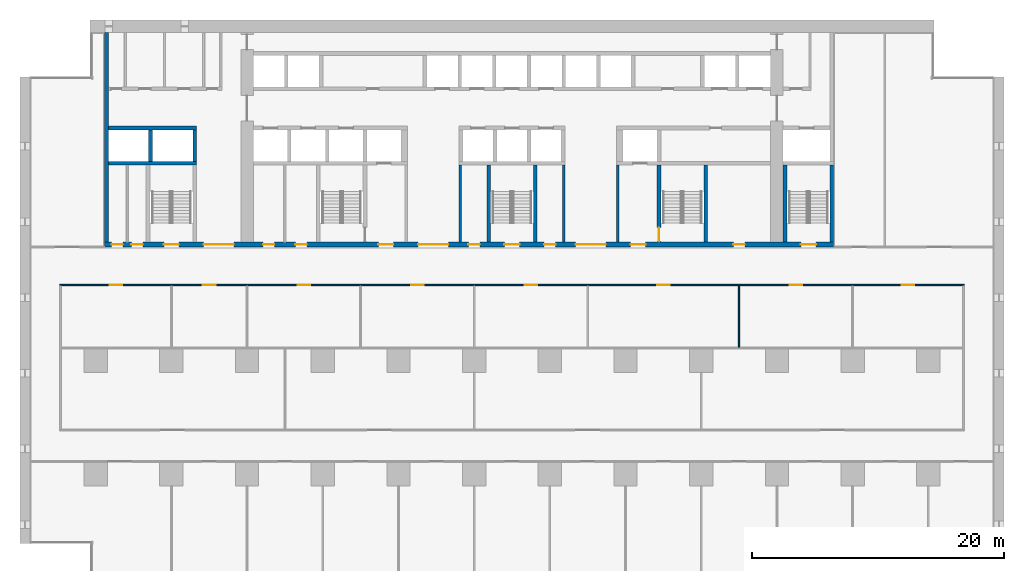
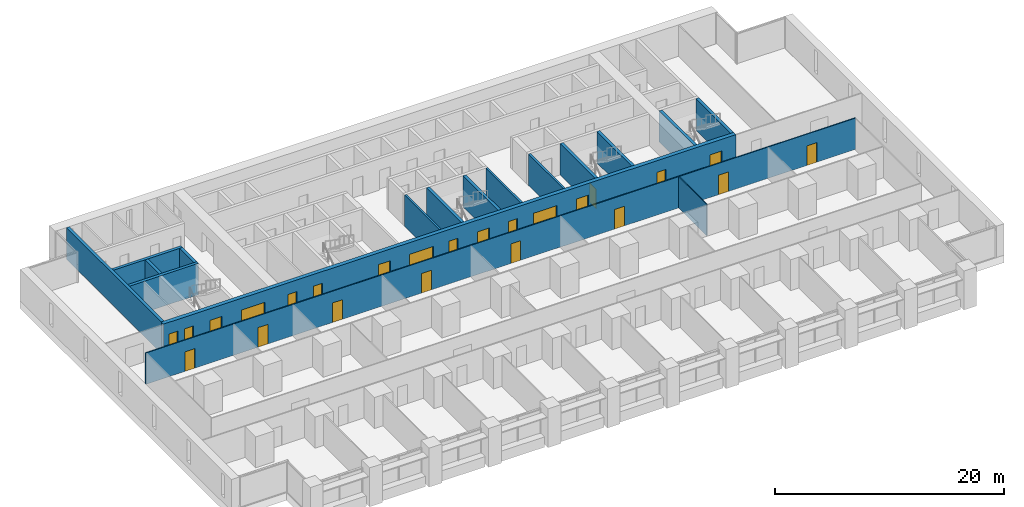
# One storey, part 10 of 18: 24 doors, 17 walls, 24 openings.
"""IFC4 building model written with IfcOpenShell, lengths in metres."""

from ifc_helpers import new_model, si_unit, direction, frame, frame_2d, origin, place, context, subcontext, project, spatial, rectangle, extrude, material, layer, layer_set, type_object, element, fill, save


model = new_model("IFC4")

# Units and contexts
model_context = context("Model", 3, precision=1e-05, world=origin(), true_north=direction((0.0, 1.0)))
body_context = subcontext(model_context, "Body", "Model", "MODEL_VIEW")
ifc_project = project(units=[si_unit("LENGTHUNIT", "METRE"), si_unit("AREAUNIT", "SQUARE_METRE"), si_unit("VOLUMEUNIT", "CUBIC_METRE"), si_unit("PLANEANGLEUNIT", "RADIAN"), si_unit("MASSUNIT", "GRAM", prefix="KILO")], contexts=[model_context])

# Site, building, storey
site_placement = place(None, origin())
site = spatial("IfcSite", under=ifc_project, at=site_placement, CompositionType="ELEMENT")
building_placement = place(site_placement, origin())
building = spatial("IfcBuilding", under=site, at=building_placement, Name="Calvaro Tower", CompositionType="ELEMENT")
storey_placement = place(building_placement, frame((0.0, 0.0, 22.5)))
storey = spatial("IfcBuildingStorey", under=building, at=storey_placement, Name="L04", CompositionType="ELEMENT", Elevation=22.5)

# Walls
ifc_material_1 = material(Name="Blockwork partition", Category="masonry")
ifc_layer_1 = layer(ifc_material_1, 0.199951171875)
ifc_layer_set_1 = layer_set([ifc_layer_1], Name="Blockwork partition")
wall_type_1 = type_object("IfcWallType", Name="Core partition 200 REI 120", PredefinedType="PARTITIONING", material=ifc_layer_set_1)
for number, where, z_axis, x_axis, name in (
    (1, (34.89990234375, 28.39990234375, 0.0), (0.0, 0.0, 1.0), (0.0, 1.0, 0.0), "Core partition"),
    (2, (43.10009765625, 28.39990234375, 0.0), (0.0, 0.0, 1.0), (0.0, 1.0, 0.0), "Core partition"),
    (3, (47.39990234375, 28.39990234375, 0.0), (0.0, 0.0, 1.0), (0.0, 1.0, 0.0), "Core partition"),
):
    element("IfcWall", number, at=place(storey_placement, frame(where, z_axis=z_axis, x_axis=x_axis)), inside=storey, type_object=wall_type_1, Name=name, PredefinedType="PARTITIONING", context=body_context, shape_type="SweptSolid", body=[
        extrude(rectangle(XDim=6.10009765625, YDim=0.199951171875, at=frame_2d((3.050048828125, 0.0))), origin(), (0.0, 0.0, 1.0), 3.35009765625),
    ])
ifc_material_2 = material(Name="Concrete C80/95", Category="concrete")
ifc_layer_2 = layer(ifc_material_2, 0.300048828125)
ifc_layer_set_2 = layer_set([ifc_layer_2], Name="Concrete C80/95")
wall_type_2 = type_object("IfcWallType", Name="Core wall C80/95 300", PredefinedType="SHEAR", material=ifc_layer_set_2)
wall_1_placement = place(storey_placement, frame((6.85009765625, 28.39990234375, 0.0), z_axis=(0.0, 0.0, 1.0), x_axis=(0.0, 1.0, 0.0)))
element("IfcWall", 4, at=wall_1_placement, inside=storey, type_object=wall_type_2, Name="Core wall, boundary", PredefinedType="SHEAR", context=body_context, shape_type="SweptSolid", body=[
    extrude(rectangle(XDim=16.60009765625, YDim=0.300048828125, at=frame_2d((8.300048828125, 0.0))), origin(), (0.0, 0.0, 1.0), 3.35009765625),
])
for number, where, z_axis, x_axis, name in (
    (5, (37.14990234375, 28.39990234375, 0.0), (0.0, 0.0, 1.0), (0.0, 1.0, 0.0), "Core wall, stair enclosure"),
    (6, (40.85009765625, 28.39990234375, 0.0), (0.0, 0.0, 1.0), (0.0, 1.0, 0.0), "Core wall, stair enclosure"),
):
    element("IfcWall", number, at=place(storey_placement, frame(where, z_axis=z_axis, x_axis=x_axis)), inside=storey, type_object=wall_type_2, Name=name, PredefinedType="SHEAR", context=body_context, shape_type="SweptSolid", body=[
        extrude(rectangle(XDim=6.10009765625, YDim=0.300048828125, at=frame_2d((3.050048828125, 0.0))), origin(), (0.0, 0.0, 1.0), 3.35009765625),
    ])

# Wall, opening, door
wall_2_placement = place(storey_placement, frame((50.64990234375, 34.5, 0.0), z_axis=(0.0, 0.0, 1.0), x_axis=(0.0, -1.0, 0.0)))
wall_2 = element("IfcWall", 7, at=wall_2_placement, inside=storey, type_object=wall_type_2, Name="Core wall, stair enclosure", PredefinedType="SHEAR", context=body_context, shape_type="SweptSolid", body=[
    extrude(rectangle(XDim=6.10009765625, YDim=0.300048828125, at=frame_2d((3.050048828125, 0.0))), origin(), (0.0, 0.0, 1.0), 3.35009765625),
])
opening_1_placement = place(wall_2_placement, frame((4.949951171875, 0.0, 0.0)))
opening_1 = element("IfcOpeningElement", 8, at=opening_1_placement, cuts=wall_2, Name="Opening FD11D", PredefinedType="OPENING", context=body_context, shape_type="SweptSolid", body=[
    extrude(rectangle(XDim=1.10009765625, YDim=2.10009765625, at=frame_2d((0.550048828125, 1.050048828125))), frame((0.0, 0.159912109375, 0.0), z_axis=(0.0, -1.0, 0.0), x_axis=(1.0, 0.0, 0.0)), (0.0, 0.0, 1.0), 0.320068359375),
])
ifc_material_3 = material(Name="Steel door set", Category="steel")
door_type_1 = type_object("IfcDoorType", Name="Fire door 1100 FD30S", OperationType="SINGLE_SWING_LEFT", PredefinedType="DOOR", material=ifc_material_3)
door_1_placement = place(opening_1_placement, origin())
door_1 = element("IfcDoor", 9, at=door_1_placement, inside=storey, type_object=door_type_1, Name="Fire door", OperationType="SINGLE_SWING_RIGHT", OverallHeight=2.10009765625, OverallWidth=1.10009765625, PredefinedType="DOOR", context=body_context, shape_type="SweptSolid", body=[
    extrude(rectangle(XDim=1.10009765625, YDim=2.10009765625, at=frame_2d((0.550048828125, 1.050048828125))), frame((0.0, 0.02490234375, 0.0), z_axis=(0.0, -1.0, 0.0), x_axis=(1.0, 0.0, 0.0)), (0.0, 0.0, 1.0), 0.050048828125),
])
fill(opening_1, door_1)

# Walls
for number, where, z_axis, x_axis, name in (
    (10, (54.35009765625, 28.39990234375, 0.0), (0.0, 0.0, 1.0), (0.0, 1.0, 0.0), "Core wall, stair enclosure"),
    (11, (60.64990234375, 28.39990234375, 0.0), (0.0, 0.0, 1.0), (0.0, 1.0, 0.0), "Core wall, stair enclosure"),
    (12, (64.35009765625, 28.39990234375, 0.0), (0.0, 0.0, 1.0), (0.0, 1.0, 0.0), "Core wall, stair enclosure"),
):
    element("IfcWall", number, at=place(storey_placement, frame(where, z_axis=z_axis, x_axis=x_axis)), inside=storey, type_object=wall_type_2, Name=name, PredefinedType="SHEAR", context=body_context, shape_type="SweptSolid", body=[
        extrude(rectangle(XDim=6.10009765625, YDim=0.300048828125, at=frame_2d((3.050048828125, 0.0))), origin(), (0.0, 0.0, 1.0), 3.35009765625),
    ])
for number, where, z_axis, x_axis, name in (
    (13, (7.0, 34.64990234375, 0.0), (0.0, 0.0, 1.0), (1.0, 0.0, 0.0), "Core wall, lift shaft"),
    (14, (7.0, 37.449951171875, 0.0), (0.0, 0.0, 1.0), (1.0, 0.0, 0.0), "Core wall, lift shaft"),
):
    element("IfcWall", number, at=place(storey_placement, frame(where, z_axis=z_axis, x_axis=x_axis)), inside=storey, type_object=wall_type_2, Name=name, PredefinedType="SHEAR", context=body_context, shape_type="SweptSolid", body=[
        extrude(rectangle(XDim=7.0, YDim=0.300048828125, at=frame_2d((3.5, 0.0))), origin(), (0.0, 0.0, 1.0), 3.35009765625),
    ])
for number, where, z_axis, x_axis, name in (
    (15, (13.85009765625, 34.800048828125, 0.0), (0.0, 0.0, 1.0), (0.0, 1.0, 0.0), "Core wall, lift shaft"),
    (16, (10.35009765625, 34.800048828125, 0.0), (0.0, 0.0, 1.0), (0.0, 1.0, 0.0), "Core wall, lift shaft"),
):
    element("IfcWall", number, at=place(storey_placement, frame(where, z_axis=z_axis, x_axis=x_axis)), inside=storey, type_object=wall_type_2, Name=name, PredefinedType="SHEAR", context=body_context, shape_type="SweptSolid", body=[
        extrude(rectangle(XDim=2.5, YDim=0.300048828125, at=frame_2d((1.25, 0.0))), origin(), (0.0, 0.0, 1.0), 3.35009765625),
    ])

# Wall, openings, doors
ifc_material_4 = material(Name="Concrete C80/95", Category="concrete")
ifc_layer_3 = layer(ifc_material_4, 0.39990234375)
ifc_layer_set_3 = layer_set([ifc_layer_3], Name="Concrete C80/95")
wall_type_3 = type_object("IfcWallType", Name="Core wall C80/95 400", PredefinedType="SHEAR", material=ifc_layer_set_3)
wall_3_placement = place(storey_placement, frame((6.699951171875, 28.199951171875, 0.0), z_axis=(0.0, 0.0, 1.0), x_axis=(1.0, 0.0, 0.0)))
wall_3 = element("IfcWall", 17, at=wall_3_placement, inside=storey, type_object=wall_type_3, Name="Core wall, front", PredefinedType="SHEAR", context=body_context, shape_type="SweptSolid", body=[
    extrude(rectangle(XDim=57.800048828125, YDim=0.39990234375, at=frame_2d((28.89990234375, 0.0))), origin(), (0.0, 0.0, 1.0), 3.35009765625),
])
opening_2_placement = place(wall_3_placement, frame((12.5625, 0.0, 0.0)))
opening_2 = element("IfcOpeningElement", 18, at=opening_2_placement, cuts=wall_3, Name="Opening RD9E", PredefinedType="OPENING", context=body_context, shape_type="SweptSolid", body=[
    extrude(rectangle(XDim=0.89990234375, YDim=2.10009765625, at=frame_2d((0.449951171875, 1.050048828125))), frame((0.0, 0.2099609375, 0.0), z_axis=(0.0, -1.0, 0.0), x_axis=(1.0, 0.0, 0.0)), (0.0, 0.0, 1.0), 0.419921875),
])
opening_3_placement = place(wall_3_placement, frame((15.137451171875, 0.0, 0.0)))
opening_3 = element("IfcOpeningElement", 19, at=opening_3_placement, cuts=wall_3, Name="Opening RD9C", PredefinedType="OPENING", context=body_context, shape_type="SweptSolid", body=[
    extrude(rectangle(XDim=0.89990234375, YDim=2.10009765625, at=frame_2d((0.449951171875, 1.050048828125))), frame((0.0, 0.2099609375, 0.0), z_axis=(0.0, -1.0, 0.0), x_axis=(1.0, 0.0, 0.0)), (0.0, 0.0, 1.0), 0.419921875),
])
opening_4_placement = place(wall_3_placement, frame((49.85009765625, 0.0, 0.0)))
opening_4 = element("IfcOpeningElement", 20, at=opening_4_placement, cuts=wall_3, Name="Opening RD9E", PredefinedType="OPENING", context=body_context, shape_type="SweptSolid", body=[
    extrude(rectangle(XDim=0.89990234375, YDim=2.10009765625, at=frame_2d((0.449951171875, 1.050048828125))), frame((0.0, 0.2099609375, 0.0), z_axis=(0.0, -1.0, 0.0), x_axis=(1.0, 0.0, 0.0)), (0.0, 0.0, 1.0), 0.419921875),
])
opening_5_placement = place(wall_3_placement, frame((0.5625, 0.0, 0.0)))
opening_5 = element("IfcOpeningElement", 21, at=opening_5_placement, cuts=wall_3, Name="Opening RD9C", PredefinedType="OPENING", context=body_context, shape_type="SweptSolid", body=[
    extrude(rectangle(XDim=0.89990234375, YDim=2.10009765625, at=frame_2d((0.449951171875, 1.050048828125))), frame((0.0, 0.2099609375, 0.0), z_axis=(0.0, -1.0, 0.0), x_axis=(1.0, 0.0, 0.0)), (0.0, 0.0, 1.0), 0.419921875),
])
opening_6_placement = place(wall_3_placement, frame((2.137451171875, 0.0, 0.0)))
opening_6 = element("IfcOpeningElement", 22, at=opening_6_placement, cuts=wall_3, Name="Opening RD9E", PredefinedType="OPENING", context=body_context, shape_type="SweptSolid", body=[
    extrude(rectangle(XDim=0.89990234375, YDim=2.10009765625, at=frame_2d((0.449951171875, 1.050048828125))), frame((0.0, 0.2099609375, 0.0), z_axis=(0.0, -1.0, 0.0), x_axis=(1.0, 0.0, 0.0)), (0.0, 0.0, 1.0), 0.419921875),
])
opening_7_placement = place(wall_3_placement, frame((4.699951171875, 0.0, 0.0)))
opening_7 = element("IfcOpeningElement", 23, at=opening_7_placement, cuts=wall_3, Name="Opening SD12D", PredefinedType="OPENING", context=body_context, shape_type="SweptSolid", body=[
    extrude(rectangle(XDim=1.199951171875, YDim=2.10009765625, at=frame_2d((0.60009765625, 1.050048828125))), frame((0.0, 0.2099609375, 0.0), z_axis=(0.0, -1.0, 0.0), x_axis=(1.0, 0.0, 0.0)), (0.0, 0.0, 1.0), 0.419921875),
])
opening_8_placement = place(wall_3_placement, frame((31.699951171875, 0.0, 0.0)))
opening_8 = element("IfcOpeningElement", 24, at=opening_8_placement, cuts=wall_3, Name="Opening SD12D", PredefinedType="OPENING", context=body_context, shape_type="SweptSolid", body=[
    extrude(rectangle(XDim=1.199951171875, YDim=2.10009765625, at=frame_2d((0.60009765625, 1.050048828125))), frame((0.0, 0.2099609375, 0.0), z_axis=(0.0, -1.0, 0.0), x_axis=(1.0, 0.0, 0.0)), (0.0, 0.0, 1.0), 0.419921875),
])
opening_9_placement = place(wall_3_placement, frame((55.199951171875, 0.0, 0.0)))
opening_9 = element("IfcOpeningElement", 25, at=opening_9_placement, cuts=wall_3, Name="Opening SD12D", PredefinedType="OPENING", context=body_context, shape_type="SweptSolid", body=[
    extrude(rectangle(XDim=1.199951171875, YDim=2.10009765625, at=frame_2d((0.60009765625, 1.050048828125))), frame((0.0, 0.2099609375, 0.0), z_axis=(0.0, -1.0, 0.0), x_axis=(1.0, 0.0, 0.0)), (0.0, 0.0, 1.0), 0.419921875),
])
opening_10_placement = place(wall_3_placement, frame((21.699951171875, 0.0, 0.0)))
opening_10 = element("IfcOpeningElement", 26, at=opening_10_placement, cuts=wall_3, Name="Opening FD12F", PredefinedType="OPENING", context=body_context, shape_type="SweptSolid", body=[
    extrude(rectangle(XDim=1.199951171875, YDim=2.10009765625, at=frame_2d((0.60009765625, 1.050048828125))), frame((0.0, 0.2099609375, 0.0), z_axis=(0.0, -1.0, 0.0), x_axis=(1.0, 0.0, 0.0)), (0.0, 0.0, 1.0), 0.419921875),
])
opening_11_placement = place(wall_3_placement, frame((41.699951171875, 0.0, 0.0)))
opening_11 = element("IfcOpeningElement", 27, at=opening_11_placement, cuts=wall_3, Name="Opening FD12F", PredefinedType="OPENING", context=body_context, shape_type="SweptSolid", body=[
    extrude(rectangle(XDim=1.199951171875, YDim=2.10009765625, at=frame_2d((0.60009765625, 1.050048828125))), frame((0.0, 0.2099609375, 0.0), z_axis=(0.0, -1.0, 0.0), x_axis=(1.0, 0.0, 0.0)), (0.0, 0.0, 1.0), 0.419921875),
])
opening_12_placement = place(wall_3_placement, frame((24.85009765625, 0.0, 0.0)))
opening_12 = element("IfcOpeningElement", 28, at=opening_12_placement, cuts=wall_3, Name="Opening DD24D", PredefinedType="OPENING", context=body_context, shape_type="SweptSolid", body=[
    extrude(rectangle(XDim=2.39990234375, YDim=2.10009765625, at=frame_2d((1.199951171875, 1.050048828125))), frame((0.0, 0.2099609375, 0.0), z_axis=(0.0, -1.0, 0.0), x_axis=(1.0, 0.0, 0.0)), (0.0, 0.0, 1.0), 0.419921875),
])
opening_13_placement = place(wall_3_placement, frame((37.35009765625, 0.0, 0.0)))
opening_13 = element("IfcOpeningElement", 29, at=opening_13_placement, cuts=wall_3, Name="Opening DD24D", PredefinedType="OPENING", context=body_context, shape_type="SweptSolid", body=[
    extrude(rectangle(XDim=2.39990234375, YDim=2.10009765625, at=frame_2d((1.199951171875, 1.050048828125))), frame((0.0, 0.2099609375, 0.0), z_axis=(0.0, -1.0, 0.0), x_axis=(1.0, 0.0, 0.0)), (0.0, 0.0, 1.0), 0.419921875),
])
opening_14_placement = place(wall_3_placement, frame((7.85009765625, 0.0, 0.0)))
opening_14 = element("IfcOpeningElement", 30, at=opening_14_placement, cuts=wall_3, Name="Opening DD24D", PredefinedType="OPENING", context=body_context, shape_type="SweptSolid", body=[
    extrude(rectangle(XDim=2.39990234375, YDim=2.10009765625, at=frame_2d((1.199951171875, 1.050048828125))), frame((0.0, 0.2099609375, 0.0), z_axis=(0.0, -1.0, 0.0), x_axis=(1.0, 0.0, 0.0)), (0.0, 0.0, 1.0), 0.419921875),
])
opening_15_placement = place(wall_3_placement, frame((28.85009765625, 0.0, 0.0)))
opening_15 = element("IfcOpeningElement", 31, at=opening_15_placement, cuts=wall_3, Name="Opening RD9E", PredefinedType="OPENING", context=body_context, shape_type="SweptSolid", body=[
    extrude(rectangle(XDim=0.89990234375, YDim=2.10009765625, at=frame_2d((0.449951171875, 1.050048828125))), frame((0.0, 0.2099609375, 0.0), z_axis=(0.0, -1.0, 0.0), x_axis=(1.0, 0.0, 0.0)), (0.0, 0.0, 1.0), 0.419921875),
])
opening_16_placement = place(wall_3_placement, frame((34.85009765625, 0.0, 0.0)))
opening_16 = element("IfcOpeningElement", 32, at=opening_16_placement, cuts=wall_3, Name="Opening RD9E", PredefinedType="OPENING", context=body_context, shape_type="SweptSolid", body=[
    extrude(rectangle(XDim=0.89990234375, YDim=2.10009765625, at=frame_2d((0.449951171875, 1.050048828125))), frame((0.0, 0.2099609375, 0.0), z_axis=(0.0, -1.0, 0.0), x_axis=(1.0, 0.0, 0.0)), (0.0, 0.0, 1.0), 0.419921875),
])
ifc_material_5 = material(Name="Steel door set", Category="steel")
door_type_2 = type_object("IfcDoorType", Name="Fire door 1200 FD60S", OperationType="SINGLE_SWING_LEFT", PredefinedType="DOOR", material=ifc_material_5)
door_2_placement = place(opening_10_placement, origin())
door_2 = element("IfcDoor", 33, at=door_2_placement, inside=storey, type_object=door_type_2, Name="Fire door", OperationType="SINGLE_SWING_LEFT", OverallHeight=2.10009765625, OverallWidth=1.199951171875, PredefinedType="DOOR", context=body_context, shape_type="SweptSolid", body=[
    extrude(rectangle(XDim=1.199951171875, YDim=2.10009765625, at=frame_2d((0.60009765625, 1.050048828125))), frame((0.0, 0.02490234375, 0.0), z_axis=(0.0, -1.0, 0.0), x_axis=(1.0, 0.0, 0.0)), (0.0, 0.0, 1.0), 0.050048828125),
])
fill(opening_10, door_2)
door_3_placement = place(opening_11_placement, origin())
door_3 = element("IfcDoor", 34, at=door_3_placement, inside=storey, type_object=door_type_2, Name="Fire door", OperationType="SINGLE_SWING_LEFT", OverallHeight=2.10009765625, OverallWidth=1.199951171875, PredefinedType="DOOR", context=body_context, shape_type="SweptSolid", body=[
    extrude(rectangle(XDim=1.199951171875, YDim=2.10009765625, at=frame_2d((0.60009765625, 1.050048828125))), frame((0.0, 0.02490234375, 0.0), z_axis=(0.0, -1.0, 0.0), x_axis=(1.0, 0.0, 0.0)), (0.0, 0.0, 1.0), 0.050048828125),
])
fill(opening_11, door_3)
ifc_material_6 = material(Name="Steel door set", Category="steel")
door_type_3 = type_object("IfcDoorType", Name="Lobby double door 2400 FD30S", OperationType="DOUBLE_DOOR_SINGLE_SWING", PredefinedType="DOOR", material=ifc_material_6)
door_4_placement = place(opening_12_placement, origin())
door_4 = element("IfcDoor", 35, at=door_4_placement, inside=storey, type_object=door_type_3, Name="Lobby double door", OperationType="DOUBLE_DOOR_SINGLE_SWING", OverallHeight=2.10009765625, OverallWidth=2.39990234375, PredefinedType="DOOR", context=body_context, shape_type="SweptSolid", body=[
    extrude(rectangle(XDim=2.39990234375, YDim=2.10009765625, at=frame_2d((1.199951171875, 1.050048828125))), frame((0.0, 0.02490234375, 0.0), z_axis=(0.0, -1.0, 0.0), x_axis=(1.0, 0.0, 0.0)), (0.0, 0.0, 1.0), 0.050048828125),
])
fill(opening_12, door_4)
door_5_placement = place(opening_13_placement, origin())
door_5 = element("IfcDoor", 36, at=door_5_placement, inside=storey, type_object=door_type_3, Name="Lobby double door", OperationType="DOUBLE_DOOR_SINGLE_SWING", OverallHeight=2.10009765625, OverallWidth=2.39990234375, PredefinedType="DOOR", context=body_context, shape_type="SweptSolid", body=[
    extrude(rectangle(XDim=2.39990234375, YDim=2.10009765625, at=frame_2d((1.199951171875, 1.050048828125))), frame((0.0, 0.02490234375, 0.0), z_axis=(0.0, -1.0, 0.0), x_axis=(1.0, 0.0, 0.0)), (0.0, 0.0, 1.0), 0.050048828125),
])
fill(opening_13, door_5)
door_6_placement = place(opening_14_placement, origin())
door_6 = element("IfcDoor", 37, at=door_6_placement, inside=storey, type_object=door_type_3, Name="Lobby double door", OperationType="DOUBLE_DOOR_SINGLE_SWING", OverallHeight=2.10009765625, OverallWidth=2.39990234375, PredefinedType="DOOR", context=body_context, shape_type="SweptSolid", body=[
    extrude(rectangle(XDim=2.39990234375, YDim=2.10009765625, at=frame_2d((1.199951171875, 1.050048828125))), frame((0.0, 0.02490234375, 0.0), z_axis=(0.0, -1.0, 0.0), x_axis=(1.0, 0.0, 0.0)), (0.0, 0.0, 1.0), 0.050048828125),
])
fill(opening_14, door_6)
ifc_material_7 = material(Name="Steel door set", Category="steel")
door_type_4 = type_object("IfcDoorType", Name="Room door 900 FD30", OperationType="SINGLE_SWING_LEFT", PredefinedType="DOOR", material=ifc_material_7)
door_7_placement = place(opening_3_placement, origin())
door_7 = element("IfcDoor", 38, at=door_7_placement, inside=storey, type_object=door_type_4, Name="Room door", OperationType="SINGLE_SWING_RIGHT", OverallHeight=2.10009765625, OverallWidth=0.89990234375, PredefinedType="DOOR", context=body_context, shape_type="SweptSolid", body=[
    extrude(rectangle(XDim=0.89990234375, YDim=2.10009765625, at=frame_2d((0.449951171875, 1.050048828125))), frame((0.0, 0.02490234375, 0.0), z_axis=(0.0, -1.0, 0.0), x_axis=(1.0, 0.0, 0.0)), (0.0, 0.0, 1.0), 0.050048828125),
])
fill(opening_3, door_7)
door_8_placement = place(opening_5_placement, origin())
door_8 = element("IfcDoor", 39, at=door_8_placement, inside=storey, type_object=door_type_4, Name="Room door", OperationType="SINGLE_SWING_LEFT", OverallHeight=2.10009765625, OverallWidth=0.89990234375, PredefinedType="DOOR", context=body_context, shape_type="SweptSolid", body=[
    extrude(rectangle(XDim=0.89990234375, YDim=2.10009765625, at=frame_2d((0.449951171875, 1.050048828125))), frame((0.0, 0.02490234375, 0.0), z_axis=(0.0, -1.0, 0.0), x_axis=(1.0, 0.0, 0.0)), (0.0, 0.0, 1.0), 0.050048828125),
])
fill(opening_5, door_8)
ifc_material_8 = material(Name="Steel door set", Category="steel")
door_type_5 = type_object("IfcDoorType", Name="Room door 900 FD60", OperationType="SINGLE_SWING_LEFT", PredefinedType="DOOR", material=ifc_material_8)
door_9_placement = place(opening_2_placement, origin())
door_9 = element("IfcDoor", 40, at=door_9_placement, inside=storey, type_object=door_type_5, Name="Room door", OperationType="SINGLE_SWING_LEFT", OverallHeight=2.10009765625, OverallWidth=0.89990234375, PredefinedType="DOOR", context=body_context, shape_type="SweptSolid", body=[
    extrude(rectangle(XDim=0.89990234375, YDim=2.10009765625, at=frame_2d((0.449951171875, 1.050048828125))), frame((0.0, 0.02490234375, 0.0), z_axis=(0.0, -1.0, 0.0), x_axis=(1.0, 0.0, 0.0)), (0.0, 0.0, 1.0), 0.050048828125),
])
fill(opening_2, door_9)
door_10_placement = place(opening_4_placement, origin())
door_10 = element("IfcDoor", 41, at=door_10_placement, inside=storey, type_object=door_type_5, Name="Room door", OperationType="SINGLE_SWING_LEFT", OverallHeight=2.10009765625, OverallWidth=0.89990234375, PredefinedType="DOOR", context=body_context, shape_type="SweptSolid", body=[
    extrude(rectangle(XDim=0.89990234375, YDim=2.10009765625, at=frame_2d((0.449951171875, 1.050048828125))), frame((0.0, 0.02490234375, 0.0), z_axis=(0.0, -1.0, 0.0), x_axis=(1.0, 0.0, 0.0)), (0.0, 0.0, 1.0), 0.050048828125),
])
fill(opening_4, door_10)
door_11_placement = place(opening_6_placement, origin())
door_11 = element("IfcDoor", 42, at=door_11_placement, inside=storey, type_object=door_type_5, Name="Room door", OperationType="SINGLE_SWING_LEFT", OverallHeight=2.10009765625, OverallWidth=0.89990234375, PredefinedType="DOOR", context=body_context, shape_type="SweptSolid", body=[
    extrude(rectangle(XDim=0.89990234375, YDim=2.10009765625, at=frame_2d((0.449951171875, 1.050048828125))), frame((0.0, 0.02490234375, 0.0), z_axis=(0.0, -1.0, 0.0), x_axis=(1.0, 0.0, 0.0)), (0.0, 0.0, 1.0), 0.050048828125),
])
fill(opening_6, door_11)
door_12_placement = place(opening_15_placement, origin())
door_12 = element("IfcDoor", 43, at=door_12_placement, inside=storey, type_object=door_type_5, Name="Room door", OperationType="SINGLE_SWING_LEFT", OverallHeight=2.10009765625, OverallWidth=0.89990234375, PredefinedType="DOOR", context=body_context, shape_type="SweptSolid", body=[
    extrude(rectangle(XDim=0.89990234375, YDim=2.10009765625, at=frame_2d((0.449951171875, 1.050048828125))), frame((0.0, 0.02490234375, 0.0), z_axis=(0.0, -1.0, 0.0), x_axis=(1.0, 0.0, 0.0)), (0.0, 0.0, 1.0), 0.050048828125),
])
fill(opening_15, door_12)
door_13_placement = place(opening_16_placement, origin())
door_13 = element("IfcDoor", 44, at=door_13_placement, inside=storey, type_object=door_type_5, Name="Room door", OperationType="SINGLE_SWING_LEFT", OverallHeight=2.10009765625, OverallWidth=0.89990234375, PredefinedType="DOOR", context=body_context, shape_type="SweptSolid", body=[
    extrude(rectangle(XDim=0.89990234375, YDim=2.10009765625, at=frame_2d((0.449951171875, 1.050048828125))), frame((0.0, 0.02490234375, 0.0), z_axis=(0.0, -1.0, 0.0), x_axis=(1.0, 0.0, 0.0)), (0.0, 0.0, 1.0), 0.050048828125),
])
fill(opening_16, door_13)
ifc_material_9 = material(Name="Steel door set", Category="steel")
door_type_6 = type_object("IfcDoorType", Name="Stair door 1200 FD30S", OperationType="SINGLE_SWING_LEFT", PredefinedType="DOOR", material=ifc_material_9)
door_14_placement = place(opening_7_placement, origin())
door_14 = element("IfcDoor", 45, at=door_14_placement, inside=storey, type_object=door_type_6, Name="Stair door", OperationType="SINGLE_SWING_LEFT", OverallHeight=2.10009765625, OverallWidth=1.199951171875, PredefinedType="DOOR", context=body_context, shape_type="SweptSolid", body=[
    extrude(rectangle(XDim=1.199951171875, YDim=2.10009765625, at=frame_2d((0.60009765625, 1.050048828125))), frame((0.0, 0.02490234375, 0.0), z_axis=(0.0, -1.0, 0.0), x_axis=(1.0, 0.0, 0.0)), (0.0, 0.0, 1.0), 0.050048828125),
])
fill(opening_7, door_14)
door_15_placement = place(opening_8_placement, origin())
door_15 = element("IfcDoor", 46, at=door_15_placement, inside=storey, type_object=door_type_6, Name="Stair door", OperationType="SINGLE_SWING_LEFT", OverallHeight=2.10009765625, OverallWidth=1.199951171875, PredefinedType="DOOR", context=body_context, shape_type="SweptSolid", body=[
    extrude(rectangle(XDim=1.199951171875, YDim=2.10009765625, at=frame_2d((0.60009765625, 1.050048828125))), frame((0.0, 0.02490234375, 0.0), z_axis=(0.0, -1.0, 0.0), x_axis=(1.0, 0.0, 0.0)), (0.0, 0.0, 1.0), 0.050048828125),
])
fill(opening_8, door_15)
door_16_placement = place(opening_9_placement, origin())
door_16 = element("IfcDoor", 47, at=door_16_placement, inside=storey, type_object=door_type_6, Name="Stair door", OperationType="SINGLE_SWING_LEFT", OverallHeight=2.10009765625, OverallWidth=1.199951171875, PredefinedType="DOOR", context=body_context, shape_type="SweptSolid", body=[
    extrude(rectangle(XDim=1.199951171875, YDim=2.10009765625, at=frame_2d((0.60009765625, 1.050048828125))), frame((0.0, 0.02490234375, 0.0), z_axis=(0.0, -1.0, 0.0), x_axis=(1.0, 0.0, 0.0)), (0.0, 0.0, 1.0), 0.050048828125),
])
fill(opening_9, door_16)

ifc_material_10 = material(Name="Plasterboard on steel studs", Category="steel")
ifc_layer_4 = layer(ifc_material_10, 0.10009765625)
ifc_layer_set_4 = layer_set([ifc_layer_4], Name="Plasterboard on steel studs")
wall_type_4 = type_object("IfcWallType", Name="Partition 100", PredefinedType="PARTITIONING", material=ifc_layer_set_4)
wall_4_placement = place(storey_placement, frame((3.14990234375, 25.0, 0.0), z_axis=(0.0, 0.0, 1.0), x_axis=(1.0, 0.0, 0.0)))
wall_4 = element("IfcWall", 48, at=wall_4_placement, inside=storey, type_object=wall_type_4, Name="Partition T07.W004", PredefinedType="PARTITIONING", context=body_context, shape_type="SweptSolid", body=[
    extrude(rectangle(XDim=71.7001953125, YDim=0.10009765625, at=frame_2d((35.85009765625, 0.0))), origin(), (0.0, 0.0, 1.0), 3.35009765625),
])
opening_17_placement = place(wall_4_placement, frame((3.949951171875, 0.0, 0.0)))
opening_17 = element("IfcOpeningElement", 49, at=opening_17_placement, cuts=wall_4, Name="Opening T07.017", PredefinedType="OPENING", context=body_context, shape_type="SweptSolid", body=[
    extrude(rectangle(XDim=1.0, YDim=2.10009765625, at=frame_2d((0.5, 1.050048828125))), frame((0.0, 0.06005859375, 0.0), z_axis=(0.0, -1.0, 0.0), x_axis=(1.0, 0.0, 0.0)), (0.0, 0.0, 1.0), 0.1201171875),
])
opening_18_placement = place(wall_4_placement, frame((11.35009765625, 0.0, 0.0)))
opening_18 = element("IfcOpeningElement", 50, at=opening_18_placement, cuts=wall_4, Name="Opening T07.018", PredefinedType="OPENING", context=body_context, shape_type="SweptSolid", body=[
    extrude(rectangle(XDim=1.0, YDim=2.10009765625, at=frame_2d((0.5, 1.050048828125))), frame((0.0, 0.06005859375, 0.0), z_axis=(0.0, -1.0, 0.0), x_axis=(1.0, 0.0, 0.0)), (0.0, 0.0, 1.0), 0.1201171875),
])
opening_19_placement = place(wall_4_placement, frame((18.85009765625, 0.0, 0.0)))
opening_19 = element("IfcOpeningElement", 51, at=opening_19_placement, cuts=wall_4, Name="Opening T07.019", PredefinedType="OPENING", context=body_context, shape_type="SweptSolid", body=[
    extrude(rectangle(XDim=1.0, YDim=2.10009765625, at=frame_2d((0.5, 1.050048828125))), frame((0.0, 0.06005859375, 0.0), z_axis=(0.0, -1.0, 0.0), x_axis=(1.0, 0.0, 0.0)), (0.0, 0.0, 1.0), 0.1201171875),
])
opening_20_placement = place(wall_4_placement, frame((27.85009765625, 0.0, 0.0)))
opening_20 = element("IfcOpeningElement", 52, at=opening_20_placement, cuts=wall_4, Name="Opening T07.020", PredefinedType="OPENING", context=body_context, shape_type="SweptSolid", body=[
    extrude(rectangle(XDim=1.0, YDim=2.10009765625, at=frame_2d((0.5, 1.050048828125))), frame((0.0, 0.06005859375, 0.0), z_axis=(0.0, -1.0, 0.0), x_axis=(1.0, 0.0, 0.0)), (0.0, 0.0, 1.0), 0.1201171875),
])
opening_21_placement = place(wall_4_placement, frame((36.85009765625, 0.0, 0.0)))
opening_21 = element("IfcOpeningElement", 53, at=opening_21_placement, cuts=wall_4, Name="Opening T07.021", PredefinedType="OPENING", context=body_context, shape_type="SweptSolid", body=[
    extrude(rectangle(XDim=1.0, YDim=2.10009765625, at=frame_2d((0.5, 1.050048828125))), frame((0.0, 0.06005859375, 0.0), z_axis=(0.0, -1.0, 0.0), x_axis=(1.0, 0.0, 0.0)), (0.0, 0.0, 1.0), 0.1201171875),
])
opening_22_placement = place(wall_4_placement, frame((47.35009765625, 0.0, 0.0)))
opening_22 = element("IfcOpeningElement", 54, at=opening_22_placement, cuts=wall_4, Name="Opening T07.022", PredefinedType="OPENING", context=body_context, shape_type="SweptSolid", body=[
    extrude(rectangle(XDim=1.0, YDim=2.10009765625, at=frame_2d((0.5, 1.050048828125))), frame((0.0, 0.06005859375, 0.0), z_axis=(0.0, -1.0, 0.0), x_axis=(1.0, 0.0, 0.0)), (0.0, 0.0, 1.0), 0.1201171875),
])
opening_23_placement = place(wall_4_placement, frame((57.85009765625, 0.0, 0.0)))
opening_23 = element("IfcOpeningElement", 55, at=opening_23_placement, cuts=wall_4, Name="Opening T07.023", PredefinedType="OPENING", context=body_context, shape_type="SweptSolid", body=[
    extrude(rectangle(XDim=1.0, YDim=2.10009765625, at=frame_2d((0.5, 1.050048828125))), frame((0.0, 0.06005859375, 0.0), z_axis=(0.0, -1.0, 0.0), x_axis=(1.0, 0.0, 0.0)), (0.0, 0.0, 1.0), 0.1201171875),
])
opening_24_placement = place(wall_4_placement, frame((66.75, 0.0, 0.0)))
opening_24 = element("IfcOpeningElement", 56, at=opening_24_placement, cuts=wall_4, Name="Opening T07.024", PredefinedType="OPENING", context=body_context, shape_type="SweptSolid", body=[
    extrude(rectangle(XDim=1.0, YDim=2.10009765625, at=frame_2d((0.5, 1.050048828125))), frame((0.0, 0.06005859375, 0.0), z_axis=(0.0, -1.0, 0.0), x_axis=(1.0, 0.0, 0.0)), (0.0, 0.0, 1.0), 0.1201171875),
])
ifc_material_11 = material(Name="Timber", Category="wood")
door_type_7 = type_object("IfcDoorType", Name="Internal single door 1000 x 2100", OperationType="SINGLE_SWING_LEFT", PredefinedType="DOOR", material=ifc_material_11)
door_17_placement = place(opening_17_placement, origin())
door_17 = element("IfcDoor", 57, at=door_17_placement, inside=storey, type_object=door_type_7, Name="Door T07.017", OperationType="SINGLE_SWING_LEFT", OverallHeight=2.10009765625, OverallWidth=1.0, PredefinedType="DOOR", context=body_context, shape_type="SweptSolid", body=[
    extrude(rectangle(XDim=1.0, YDim=2.10009765625, at=frame_2d((0.5, 1.050048828125))), frame((0.0, 0.02490234375, 0.0), z_axis=(0.0, -1.0, 0.0), x_axis=(1.0, 0.0, 0.0)), (0.0, 0.0, 1.0), 0.050048828125),
])
fill(opening_17, door_17)
door_18_placement = place(opening_18_placement, origin())
door_18 = element("IfcDoor", 58, at=door_18_placement, inside=storey, type_object=door_type_7, Name="Door T07.018", OperationType="SINGLE_SWING_LEFT", OverallHeight=2.10009765625, OverallWidth=1.0, PredefinedType="DOOR", context=body_context, shape_type="SweptSolid", body=[
    extrude(rectangle(XDim=1.0, YDim=2.10009765625, at=frame_2d((0.5, 1.050048828125))), frame((0.0, 0.02490234375, 0.0), z_axis=(0.0, -1.0, 0.0), x_axis=(1.0, 0.0, 0.0)), (0.0, 0.0, 1.0), 0.050048828125),
])
fill(opening_18, door_18)
door_19_placement = place(opening_19_placement, origin())
door_19 = element("IfcDoor", 59, at=door_19_placement, inside=storey, type_object=door_type_7, Name="Door T07.019", OperationType="SINGLE_SWING_LEFT", OverallHeight=2.10009765625, OverallWidth=1.0, PredefinedType="DOOR", context=body_context, shape_type="SweptSolid", body=[
    extrude(rectangle(XDim=1.0, YDim=2.10009765625, at=frame_2d((0.5, 1.050048828125))), frame((0.0, 0.02490234375, 0.0), z_axis=(0.0, -1.0, 0.0), x_axis=(1.0, 0.0, 0.0)), (0.0, 0.0, 1.0), 0.050048828125),
])
fill(opening_19, door_19)
door_20_placement = place(opening_20_placement, origin())
door_20 = element("IfcDoor", 60, at=door_20_placement, inside=storey, type_object=door_type_7, Name="Door T07.020", OperationType="SINGLE_SWING_LEFT", OverallHeight=2.10009765625, OverallWidth=1.0, PredefinedType="DOOR", context=body_context, shape_type="SweptSolid", body=[
    extrude(rectangle(XDim=1.0, YDim=2.10009765625, at=frame_2d((0.5, 1.050048828125))), frame((0.0, 0.02490234375, 0.0), z_axis=(0.0, -1.0, 0.0), x_axis=(1.0, 0.0, 0.0)), (0.0, 0.0, 1.0), 0.050048828125),
])
fill(opening_20, door_20)
door_21_placement = place(opening_21_placement, origin())
door_21 = element("IfcDoor", 61, at=door_21_placement, inside=storey, type_object=door_type_7, Name="Door T07.021", OperationType="SINGLE_SWING_RIGHT", OverallHeight=2.10009765625, OverallWidth=1.0, PredefinedType="DOOR", context=body_context, shape_type="SweptSolid", body=[
    extrude(rectangle(XDim=1.0, YDim=2.10009765625, at=frame_2d((0.5, 1.050048828125))), frame((0.0, 0.02490234375, 0.0), z_axis=(0.0, -1.0, 0.0), x_axis=(1.0, 0.0, 0.0)), (0.0, 0.0, 1.0), 0.050048828125),
])
fill(opening_21, door_21)
door_22_placement = place(opening_22_placement, origin())
door_22 = element("IfcDoor", 62, at=door_22_placement, inside=storey, type_object=door_type_7, Name="Door T07.022", OperationType="SINGLE_SWING_RIGHT", OverallHeight=2.10009765625, OverallWidth=1.0, PredefinedType="DOOR", context=body_context, shape_type="SweptSolid", body=[
    extrude(rectangle(XDim=1.0, YDim=2.10009765625, at=frame_2d((0.5, 1.050048828125))), frame((0.0, 0.02490234375, 0.0), z_axis=(0.0, -1.0, 0.0), x_axis=(1.0, 0.0, 0.0)), (0.0, 0.0, 1.0), 0.050048828125),
])
fill(opening_22, door_22)
door_23_placement = place(opening_23_placement, origin())
door_23 = element("IfcDoor", 63, at=door_23_placement, inside=storey, type_object=door_type_7, Name="Door T07.023", OperationType="SINGLE_SWING_RIGHT", OverallHeight=2.10009765625, OverallWidth=1.0, PredefinedType="DOOR", context=body_context, shape_type="SweptSolid", body=[
    extrude(rectangle(XDim=1.0, YDim=2.10009765625, at=frame_2d((0.5, 1.050048828125))), frame((0.0, 0.02490234375, 0.0), z_axis=(0.0, -1.0, 0.0), x_axis=(1.0, 0.0, 0.0)), (0.0, 0.0, 1.0), 0.050048828125),
])
fill(opening_23, door_23)
door_24_placement = place(opening_24_placement, origin())
door_24 = element("IfcDoor", 64, at=door_24_placement, inside=storey, type_object=door_type_7, Name="Door T07.024", OperationType="SINGLE_SWING_RIGHT", OverallHeight=2.10009765625, OverallWidth=1.0, PredefinedType="DOOR", context=body_context, shape_type="SweptSolid", body=[
    extrude(rectangle(XDim=1.0, YDim=2.10009765625, at=frame_2d((0.5, 1.050048828125))), frame((0.0, 0.02490234375, 0.0), z_axis=(0.0, -1.0, 0.0), x_axis=(1.0, 0.0, 0.0)), (0.0, 0.0, 1.0), 0.050048828125),
])
fill(opening_24, door_24)

# Wall
wall_5_placement = place(storey_placement, frame((57.0, 20.050048828125, 0.0), z_axis=(0.0, 0.0, 1.0), x_axis=(0.0, 1.0, 0.0)))
element("IfcWall", 65, at=wall_5_placement, inside=storey, type_object=wall_type_4, Name="Partition T07.W024", PredefinedType="PARTITIONING", context=body_context, shape_type="SweptSolid", body=[
    extrude(rectangle(XDim=4.89990234375, YDim=0.10009765625, at=frame_2d((2.449951171875, 0.0))), origin(), (0.0, 0.0, 1.0), 3.35009765625),
])

save(model, "model.ifc")
